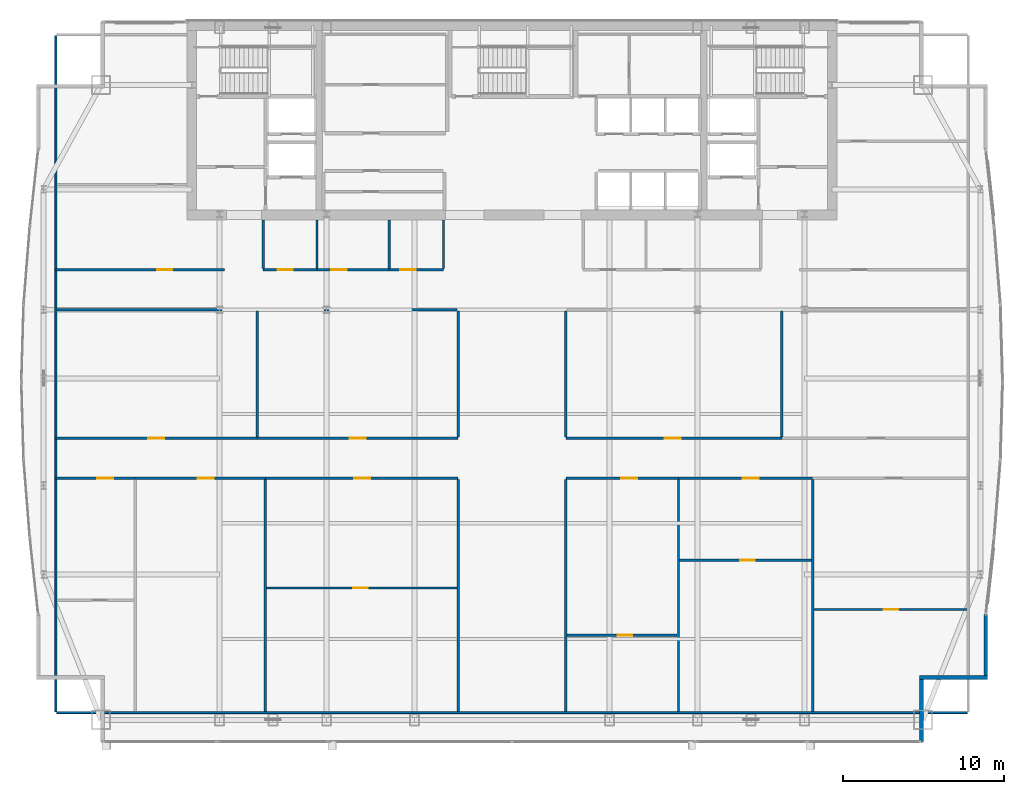
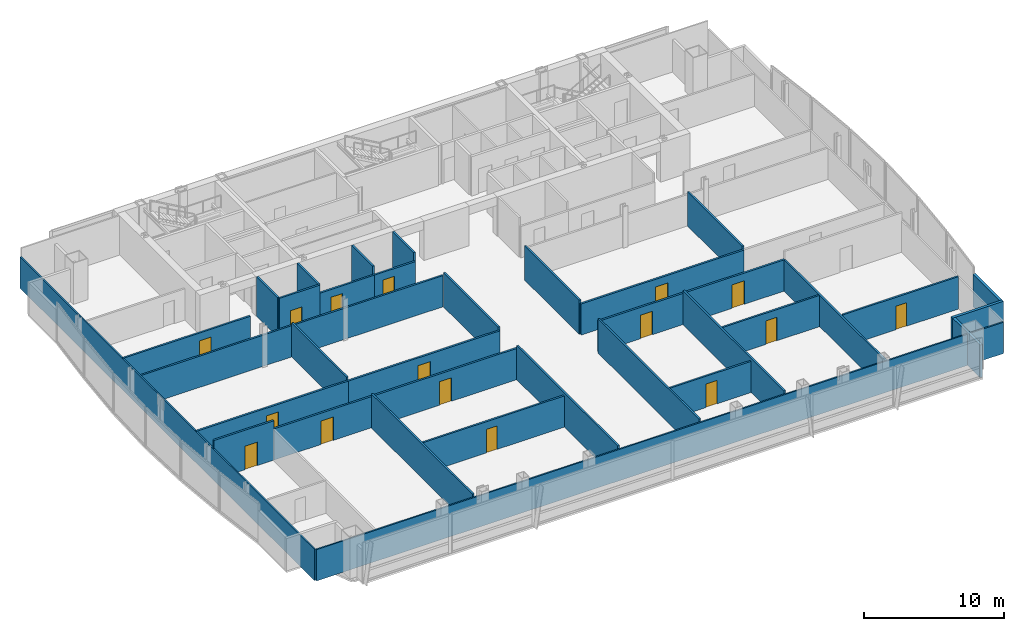
# One storey, part 27 of 32: 35 walls, 16 doors, 16 openings.
"""IFC4 building model written with IfcOpenShell, lengths in metres."""

from ifc_helpers import new_model, si_unit, direction, frame, frame_2d, origin, place, context, subcontext, project, spatial, rectangle, extrude, material, layer, layer_set, type_object, element, fill, save


model = new_model("IFC4")

# Units and contexts
model_context = context("Model", 3, precision=1e-05, world=origin(), true_north=direction((0.0, 1.0)))
body_context = subcontext(model_context, "Body", "Model", "MODEL_VIEW")
ifc_project = project(units=[si_unit("LENGTHUNIT", "METRE"), si_unit("AREAUNIT", "SQUARE_METRE"), si_unit("VOLUMEUNIT", "CUBIC_METRE"), si_unit("PLANEANGLEUNIT", "RADIAN"), si_unit("MASSUNIT", "GRAM", prefix="KILO")], contexts=[model_context])

# Site, building, storey
site_placement = place(None, origin())
site = spatial("IfcSite", under=ifc_project, at=site_placement, CompositionType="ELEMENT")
building_placement = place(site_placement, origin())
building = spatial("IfcBuilding", under=site, at=building_placement, Name="Khoronbel Lancet Exchange", CompositionType="ELEMENT")
storey_placement = place(building_placement, frame((0.0, 0.0, 195.800048828125)))
storey = spatial("IfcBuildingStorey", under=building, at=storey_placement, Name="L49", CompositionType="ELEMENT", Elevation=195.800048828125)

# Walls
ifc_material_1 = material(Name="Precast concrete C40/50", Category="concrete")
ifc_layer_1 = layer(ifc_material_1, 0.25, Name="Precast concrete C40/50")
ifc_layer_set_1 = layer_set([ifc_layer_1], Name="Precast concrete C40/50")
wall_type_1 = type_object("IfcWallType", Name="WL-EXT250", PredefinedType="SOLIDWALL", material=ifc_layer_set_1)
wall_1_placement = place(storey_placement, frame((65.9599609375, 16.724853515625, 0.0), z_axis=(0.0, 0.0, 1.0), x_axis=(0.0, -1.0, 0.0)))
element("IfcWall", 1, at=wall_1_placement, inside=storey, type_object=wall_type_1, Name="Level L49 notched-corner limestone pier 23", PredefinedType="SOLIDWALL", context=body_context, shape_type="SweptSolid", body=[
    extrude(rectangle(XDim=3.824951171875, YDim=0.219970703125, at=frame_2d((1.91259765625, 0.0))), origin(), (0.0, 0.0, 1.0), 2.829833984375),
])
wall_2_placement = place(storey_placement, frame((66.070068359375, 12.7900390625, 0.0), z_axis=(0.0, 0.0, 1.0), x_axis=(-1.0, 0.0, 0.0)))
element("IfcWall", 2, at=wall_2_placement, inside=storey, type_object=wall_type_1, Name="Level L49 notched-corner limestone pier 24", PredefinedType="SOLIDWALL", context=body_context, shape_type="SweptSolid", body=[
    extrude(rectangle(XDim=4.219970703125, YDim=0.219970703125, at=frame_2d((2.10986328125, 0.0))), origin(), (0.0, 0.0, 1.0), 2.829833984375),
])
wall_3_placement = place(storey_placement, frame((61.9599609375, 12.679931640625, 0.0), z_axis=(0.0, 0.0, 1.0), x_axis=(0.0, -1.0, 0.0)))
element("IfcWall", 3, at=wall_3_placement, inside=storey, type_object=wall_type_1, Name="Level L49 notched-corner limestone pier 25", PredefinedType="SOLIDWALL", context=body_context, shape_type="SweptSolid", body=[
    extrude(rectangle(XDim=3.909912109375, YDim=0.219970703125, at=frame_2d((1.955078125, 0.0))), origin(), (0.0, 0.0, 1.0), 2.829833984375),
])
ifc_material_2 = material(Name="Acoustic Metal-Stud & Mineral-Wool Gypsum Partition 120 mm", Category="gypsum")
ifc_layer_2 = layer(ifc_material_2, 0.1201171875, Name="Acoustic Metal-Stud & Mineral-Wool Gypsum Partition 120 mm")
ifc_layer_set_2 = layer_set([ifc_layer_2], Name="Acoustic Metal-Stud & Mineral-Wool Gypsum Partition 120 mm")
wall_type_2 = type_object("IfcWallType", Name="WL-PRT120", PredefinedType="PARTITIONING", material=ifc_layer_set_2)
for number, where, z_axis, x_axis, name in (
    (4, (20.949951171875, 38.280029296875, 0.0), (0.0, 0.0, 1.0), (0.0, 1.0, 0.0), "Level L49 interior partition PW-WC-0"),
    (5, (24.300048828125, 38.280029296875, 0.0), (0.0, 0.0, 1.0), (0.0, 1.0, 0.0), "Level L49 interior partition PW-WC-1"),
    (6, (28.800048828125, 38.280029296875, 0.0), (0.0, 0.0, 1.0), (0.0, 1.0, 0.0), "Level L49 interior partition PW-WC-2"),
    (7, (32.179931640625, 38.280029296875, 0.0), (0.0, 0.0, 1.0), (0.0, 1.0, 0.0), "Level L49 interior partition PW-WC-3"),
):
    element("IfcWall", number, at=place(storey_placement, frame(where, z_axis=z_axis, x_axis=x_axis)), inside=storey, type_object=wall_type_2, Name=name, PredefinedType="PARTITIONING", context=body_context, shape_type="SweptSolid", body=[
        extrude(rectangle(XDim=3.02001953125, YDim=0.14990234375, at=frame_2d((1.510009765625, 0.0))), origin(), (0.0, 0.0, 1.0), 3.43994140625),
    ])

# Wall, opening, door
wall_4_placement = place(storey_placement, frame((21.16845703125, 18.365966796875, 0.0), z_axis=(0.0, 0.0, 1.0), x_axis=(1.0, 0.0, 0.0)))
wall_4 = element("IfcWall", 8, at=wall_4_placement, inside=storey, type_object=wall_type_2, Name="Level L49 interior partition PW-Z3SW-H3", PredefinedType="PARTITIONING", context=body_context, shape_type="SweptSolid", body=[
    extrude(rectangle(XDim=11.8515625, YDim=0.14990234375, at=frame_2d((5.92578125, 0.0))), origin(), (0.0, 0.0, 1.0), 2.72998046875),
])
opening_1_placement = place(wall_4_placement, frame((5.4052734375, 0.0, 0.0)))
opening_1 = element("IfcOpeningElement", 9, at=opening_1_placement, cuts=wall_4, Name="Opening D5", PredefinedType="OPENING", context=body_context, shape_type="SweptSolid", body=[
    extrude(rectangle(XDim=0.89990234375, YDim=2.050048828125, at=frame_2d((0.449951171875, 1.02490234375))), frame((0.0, 0.0849609375, 0.0), z_axis=(0.0, -1.0, 0.0), x_axis=(1.0, 0.0, 0.0)), (0.0, 0.0, 1.0), 0.169921875),
])
ifc_material_3 = material(Name="Acoustic Timber Pantry & Support Door", Category="wood")
door_type_1 = type_object("IfcDoorType", Name="DR-D5", OperationType="NOTDEFINED", PredefinedType="DOOR", material=ifc_material_3)
door_1_placement = place(opening_1_placement, origin())
door_1 = element("IfcDoor", 10, at=door_1_placement, inside=storey, type_object=door_type_1, Name="Z3SW inner door 3 L49-1", OperationType="SINGLE_SWING_RIGHT", OverallHeight=2.050048828125, OverallWidth=0.89990234375, PredefinedType="DOOR", context=body_context, shape_type="SweptSolid", body=[
    extrude(rectangle(XDim=0.89990234375, YDim=2.050048828125, at=frame_2d((0.449951171875, 1.02490234375))), frame((0.0, 0.02490234375, 0.0), z_axis=(0.0, -1.0, 0.0), x_axis=(1.0, 0.0, 0.0)), (0.0, 0.0, 1.0), 0.050048828125),
])
fill(opening_1, door_1)

wall_5_placement = place(storey_placement, frame((39.8798828125, 15.41796875, 0.0), z_axis=(0.0, 0.0, 1.0), x_axis=(1.0, 0.0, 0.0)))
wall_5 = element("IfcWall", 11, at=wall_5_placement, inside=storey, type_object=wall_type_2, Name="Level L49 interior partition PW-Z3SE-H1", PredefinedType="PARTITIONING", context=body_context, shape_type="SweptSolid", body=[
    extrude(rectangle(XDim=6.859619140625, YDim=0.14990234375, at=frame_2d((3.4296875, 0.0))), origin(), (0.0, 0.0, 1.0), 2.72998046875),
])
opening_2_placement = place(wall_5_placement, frame((3.15869140625, 0.0, 0.0)))
opening_2 = element("IfcOpeningElement", 12, at=opening_2_placement, cuts=wall_5, Name="Opening D5", PredefinedType="OPENING", context=body_context, shape_type="SweptSolid", body=[
    extrude(rectangle(XDim=0.89990234375, YDim=2.050048828125, at=frame_2d((0.449951171875, 1.02490234375))), frame((0.0, 0.0849609375, 0.0), z_axis=(0.0, -1.0, 0.0), x_axis=(1.0, 0.0, 0.0)), (0.0, 0.0, 1.0), 0.169921875),
])
door_2_placement = place(opening_2_placement, origin())
door_2 = element("IfcDoor", 13, at=door_2_placement, inside=storey, type_object=door_type_1, Name="Z3SE inner door 1 L49-1", OperationType="SINGLE_SWING_RIGHT", OverallHeight=2.050048828125, OverallWidth=0.89990234375, PredefinedType="DOOR", context=body_context, shape_type="SweptSolid", body=[
    extrude(rectangle(XDim=0.89990234375, YDim=2.050048828125, at=frame_2d((0.449951171875, 1.02490234375))), frame((0.0, 0.02490234375, 0.0), z_axis=(0.0, -1.0, 0.0), x_axis=(1.0, 0.0, 0.0)), (0.0, 0.0, 1.0), 0.050048828125),
])
fill(opening_2, door_2)

wall_6_placement = place(storey_placement, frame((46.899658203125, 20.090087890625, 0.0), z_axis=(0.0, 0.0, 1.0), x_axis=(1.0, 0.0, 0.0)))
wall_6 = element("IfcWall", 14, at=wall_6_placement, inside=storey, type_object=wall_type_2, Name="Level L49 interior partition PW-Z3SE-H2", PredefinedType="PARTITIONING", context=body_context, shape_type="SweptSolid", body=[
    extrude(rectangle(XDim=8.196533203125, YDim=0.14990234375, at=frame_2d((4.09814453125, 0.0))), origin(), (0.0, 0.0, 1.0), 2.72998046875),
])
opening_3_placement = place(wall_6_placement, frame((3.760498046875, 0.0, 0.0)))
opening_3 = element("IfcOpeningElement", 15, at=opening_3_placement, cuts=wall_6, Name="Opening D5", PredefinedType="OPENING", context=body_context, shape_type="SweptSolid", body=[
    extrude(rectangle(XDim=0.89990234375, YDim=2.050048828125, at=frame_2d((0.449951171875, 1.02490234375))), frame((0.0, 0.0849609375, 0.0), z_axis=(0.0, -1.0, 0.0), x_axis=(1.0, 0.0, 0.0)), (0.0, 0.0, 1.0), 0.169921875),
])
door_3_placement = place(opening_3_placement, origin())
door_3 = element("IfcDoor", 16, at=door_3_placement, inside=storey, type_object=door_type_1, Name="Z3SE inner door 2 L49-1", OperationType="SINGLE_SWING_RIGHT", OverallHeight=2.050048828125, OverallWidth=0.89990234375, PredefinedType="DOOR", context=body_context, shape_type="SweptSolid", body=[
    extrude(rectangle(XDim=0.89990234375, YDim=2.050048828125, at=frame_2d((0.449951171875, 1.02490234375))), frame((0.0, 0.02490234375, 0.0), z_axis=(0.0, -1.0, 0.0), x_axis=(1.0, 0.0, 0.0)), (0.0, 0.0, 1.0), 0.050048828125),
])
fill(opening_3, door_3)

wall_7_placement = place(storey_placement, frame((55.25634765625, 17.02392578125, 0.0), z_axis=(0.0, 0.0, 1.0), x_axis=(1.0, 0.0, 0.0)))
wall_7 = element("IfcWall", 17, at=wall_7_placement, inside=storey, type_object=wall_type_2, Name="Level L49 interior partition PW-Z3SE-H3", PredefinedType="PARTITIONING", context=body_context, shape_type="SweptSolid", body=[
    extrude(rectangle(XDim=9.548583984375, YDim=0.14990234375, at=frame_2d((4.7744140625, 0.0))), origin(), (0.0, 0.0, 1.0), 2.829833984375),
])
opening_4_placement = place(wall_7_placement, frame((4.3623046875, 0.0, 0.0)))
opening_4 = element("IfcOpeningElement", 18, at=opening_4_placement, cuts=wall_7, Name="Opening D5", PredefinedType="OPENING", context=body_context, shape_type="SweptSolid", body=[
    extrude(rectangle(XDim=0.89990234375, YDim=2.050048828125, at=frame_2d((0.449951171875, 1.02490234375))), frame((0.0, 0.0849609375, 0.0), z_axis=(0.0, -1.0, 0.0), x_axis=(1.0, 0.0, 0.0)), (0.0, 0.0, 1.0), 0.169921875),
])
door_4_placement = place(opening_4_placement, origin())
door_4 = element("IfcDoor", 19, at=door_4_placement, inside=storey, type_object=door_type_1, Name="Z3SE inner door 3 L49-1", OperationType="SINGLE_SWING_RIGHT", OverallHeight=2.050048828125, OverallWidth=0.89990234375, PredefinedType="DOOR", context=body_context, shape_type="SweptSolid", body=[
    extrude(rectangle(XDim=0.89990234375, YDim=2.050048828125, at=frame_2d((0.449951171875, 1.02490234375))), frame((0.0, 0.02490234375, 0.0), z_axis=(0.0, -1.0, 0.0), x_axis=(1.0, 0.0, 0.0)), (0.0, 0.0, 1.0), 0.050048828125),
])
fill(opening_4, door_4)

# Walls
wall_8_placement = place(storey_placement, frame((8.030029296875, 10.6650390625, 0.0), z_axis=(0.0, 0.0, 1.0), x_axis=(0.0, 1.0, 0.0)))
element("IfcWall", 20, at=wall_8_placement, inside=storey, type_object=wall_type_2, Name="Level L49 interior partition PW-LIN-W", PredefinedType="PARTITIONING", context=body_context, shape_type="SweptSolid", body=[
    extrude(rectangle(XDim=42.10986328125, YDim=0.1201171875, at=frame_2d((21.054931640625, 0.0))), origin(), (0.0, 0.0, 1.0), 2.72998046875),
])
wall_9_placement = place(storey_placement, frame((8.094970703125, 10.60009765625, 0.0), z_axis=(0.0, 0.0, 1.0), x_axis=(1.0, 0.0, 0.0)))
element("IfcWall", 21, at=wall_9_placement, inside=storey, type_object=wall_type_2, Name="Level L49 interior partition PW-LIN-S", PredefinedType="PARTITIONING", context=body_context, shape_type="SweptSolid", body=[
    extrude(rectangle(XDim=56.7099609375, YDim=0.1201171875, at=frame_2d((28.35498046875, 0.0))), origin(), (0.0, 0.0, 1.0), 2.72998046875),
])

# Wall, opening, door
ifc_material_4 = material(Name="Fire-Rated Twin-Stud Acoustic Gypsum Partition 150 mm", Category="gypsum")
ifc_layer_3 = layer(ifc_material_4, 0.14990234375, Name="Fire-Rated Twin-Stud Acoustic Gypsum Partition 150 mm")
ifc_layer_set_3 = layer_set([ifc_layer_3], Name="Fire-Rated Twin-Stud Acoustic Gypsum Partition 150 mm")
wall_type_3 = type_object("IfcWallType", Name="WL-PRT150C", PredefinedType="PARTITIONING", material=ifc_layer_set_3)
wall_10_placement = place(storey_placement, frame((20.949951171875, 38.199951171875, 0.0), z_axis=(0.0, 0.0, 1.0), x_axis=(1.0, 0.0, 0.0)))
wall_10 = element("IfcWall", 22, at=wall_10_placement, inside=storey, type_object=wall_type_3, Name="Level L49 interior partition PW-WC-S1", PredefinedType="PARTITIONING", context=body_context, shape_type="SweptSolid", body=[
    extrude(rectangle(XDim=3.35009765625, YDim=0.14990234375, at=frame_2d((1.675048828125, 0.0))), origin(), (0.0, 0.0, 1.0), 3.43994140625),
])
opening_5_placement = place(wall_10_placement, frame((0.89990234375, 0.0, 0.0)))
opening_5 = element("IfcOpeningElement", 23, at=opening_5_placement, cuts=wall_10, Name="Opening D4", PredefinedType="OPENING", context=body_context, shape_type="SweptSolid", body=[
    extrude(rectangle(XDim=0.949951171875, YDim=2.050048828125, at=frame_2d((0.47509765625, 1.02490234375))), frame((0.0, 0.0849609375, 0.0), z_axis=(0.0, -1.0, 0.0), x_axis=(1.0, 0.0, 0.0)), (0.0, 0.0, 1.0), 0.169921875),
])
ifc_material_5 = material(Name="Moisture-Resistant HPL Washroom Door", Category="wood")
door_type_2 = type_object("IfcDoorType", Name="DR-D4", OperationType="NOTDEFINED", PredefinedType="DOOR", material=ifc_material_5)
door_5_placement = place(opening_5_placement, origin())
door_5 = element("IfcDoor", 24, at=door_5_placement, inside=storey, type_object=door_type_2, Name="Male washroom door L49-1", OperationType="SINGLE_SWING_LEFT", OverallHeight=2.050048828125, OverallWidth=0.949951171875, PredefinedType="DOOR", context=body_context, shape_type="SweptSolid", body=[
    extrude(rectangle(XDim=0.949951171875, YDim=2.050048828125, at=frame_2d((0.47509765625, 1.02490234375))), frame((0.0, 0.02490234375, 0.0), z_axis=(0.0, -1.0, 0.0), x_axis=(1.0, 0.0, 0.0)), (0.0, 0.0, 1.0), 0.050048828125),
])
fill(opening_5, door_5)

wall_11_placement = place(storey_placement, frame((24.300048828125, 38.199951171875, 0.0), z_axis=(0.0, 0.0, 1.0), x_axis=(1.0, 0.0, 0.0)))
wall_11 = element("IfcWall", 25, at=wall_11_placement, inside=storey, type_object=wall_type_3, Name="Level L49 interior partition PW-WC-S2", PredefinedType="PARTITIONING", context=body_context, shape_type="SweptSolid", body=[
    extrude(rectangle(XDim=4.5, YDim=0.14990234375, at=frame_2d((2.25, 0.0))), origin(), (0.0, 0.0, 1.0), 2.72998046875),
])
opening_6_placement = place(wall_11_placement, frame((0.89990234375, 0.0, 0.0)))
opening_6 = element("IfcOpeningElement", 26, at=opening_6_placement, cuts=wall_11, Name="Opening D4", PredefinedType="OPENING", context=body_context, shape_type="SweptSolid", body=[
    extrude(rectangle(XDim=0.949951171875, YDim=2.050048828125, at=frame_2d((0.47509765625, 1.02490234375))), frame((0.0, 0.0849609375, 0.0), z_axis=(0.0, -1.0, 0.0), x_axis=(1.0, 0.0, 0.0)), (0.0, 0.0, 1.0), 0.169921875),
])
door_6_placement = place(opening_6_placement, origin())
door_6 = element("IfcDoor", 27, at=door_6_placement, inside=storey, type_object=door_type_2, Name="Female washroom door L49-1", OperationType="SINGLE_SWING_RIGHT", OverallHeight=2.050048828125, OverallWidth=0.949951171875, PredefinedType="DOOR", context=body_context, shape_type="SweptSolid", body=[
    extrude(rectangle(XDim=0.949951171875, YDim=2.050048828125, at=frame_2d((0.47509765625, 1.02490234375))), frame((0.0, 0.02490234375, 0.0), z_axis=(0.0, -1.0, 0.0), x_axis=(1.0, 0.0, 0.0)), (0.0, 0.0, 1.0), 0.050048828125),
])
fill(opening_6, door_6)

wall_12_placement = place(storey_placement, frame((28.800048828125, 38.199951171875, 0.0), z_axis=(0.0, 0.0, 1.0), x_axis=(1.0, 0.0, 0.0)))
wall_12 = element("IfcWall", 28, at=wall_12_placement, inside=storey, type_object=wall_type_3, Name="Level L49 interior partition PW-WC-S3", PredefinedType="PARTITIONING", context=body_context, shape_type="SweptSolid", body=[
    extrude(rectangle(XDim=3.3798828125, YDim=0.14990234375, at=frame_2d((1.68994140625, 0.0))), origin(), (0.0, 0.0, 1.0), 2.72998046875),
])
opening_7_placement = place(wall_12_placement, frame((0.699951171875, 0.0, 0.0)))
opening_7 = element("IfcOpeningElement", 29, at=opening_7_placement, cuts=wall_12, Name="Opening D4", PredefinedType="OPENING", context=body_context, shape_type="SweptSolid", body=[
    extrude(rectangle(XDim=0.949951171875, YDim=2.050048828125, at=frame_2d((0.47509765625, 1.02490234375))), frame((0.0, 0.0849609375, 0.0), z_axis=(0.0, -1.0, 0.0), x_axis=(1.0, 0.0, 0.0)), (0.0, 0.0, 1.0), 0.169921875),
])
door_7_placement = place(opening_7_placement, origin())
door_7 = element("IfcDoor", 30, at=door_7_placement, inside=storey, type_object=door_type_2, Name="Accessible WC door L49-1", OperationType="SINGLE_SWING_LEFT", OverallHeight=2.050048828125, OverallWidth=0.949951171875, PredefinedType="DOOR", context=body_context, shape_type="SweptSolid", body=[
    extrude(rectangle(XDim=0.949951171875, YDim=2.050048828125, at=frame_2d((0.47509765625, 1.02490234375))), frame((0.0, 0.02490234375, 0.0), z_axis=(0.0, -1.0, 0.0), x_axis=(1.0, 0.0, 0.0)), (0.0, 0.0, 1.0), 0.050048828125),
])
fill(opening_7, door_7)

wall_13_placement = place(storey_placement, frame((8.030029296875, 38.199951171875, 0.0), z_axis=(0.0, 0.0, 1.0), x_axis=(1.0, 0.0, 0.0)))
wall_13 = element("IfcWall", 31, at=wall_13_placement, inside=storey, type_object=wall_type_3, Name="Level L49 interior partition PW-NW-S", PredefinedType="PARTITIONING", context=body_context, shape_type="SweptSolid", body=[
    extrude(rectangle(XDim=10.52001953125, YDim=0.14990234375, at=frame_2d((5.260009765625, 0.0))), origin(), (0.0, 0.0, 1.0), 2.72998046875),
])
opening_8_placement = place(wall_13_placement, frame((6.320068359375, 0.0, 0.0)))
opening_8 = element("IfcOpeningElement", 32, at=opening_8_placement, cuts=wall_13, Name="Opening D1", PredefinedType="OPENING", context=body_context, shape_type="SweptSolid", body=[
    extrude(rectangle(XDim=0.949951171875, YDim=2.050048828125, at=frame_2d((0.47509765625, 1.02490234375))), frame((0.0, 0.0849609375, 0.0), z_axis=(0.0, -1.0, 0.0), x_axis=(1.0, 0.0, 0.0)), (0.0, 0.0, 1.0), 0.169921875),
])
ifc_material_6 = material(Name="Acoustic Veneered Timber & Bronze Frame Door", Category="wood")
door_type_3 = type_object("IfcDoorType", Name="DR-D1", OperationType="NOTDEFINED", PredefinedType="DOOR", material=ifc_material_6)
door_8_placement = place(opening_8_placement, origin())
door_8 = element("IfcDoor", 33, at=door_8_placement, inside=storey, type_object=door_type_3, Name="NW corner room door L49-1", OperationType="SINGLE_SWING_RIGHT", OverallHeight=2.050048828125, OverallWidth=0.949951171875, PredefinedType="DOOR", context=body_context, shape_type="SweptSolid", body=[
    extrude(rectangle(XDim=0.949951171875, YDim=2.050048828125, at=frame_2d((0.47509765625, 1.02490234375))), frame((0.0, 0.02490234375, 0.0), z_axis=(0.0, -1.0, 0.0), x_axis=(1.0, 0.0, 0.0)), (0.0, 0.0, 1.0), 0.050048828125),
])
fill(opening_8, door_8)

# Walls
for number, where, z_axis, x_axis, name in (
    (34, (33.10009765625, 10.6650390625, 0.0), (0.0, 0.0, 1.0), (0.0, 1.0, 0.0), "Level L49 interior partition PW-Z3-CW1"),
    (35, (39.800048828125, 10.6650390625, 0.0), (0.0, 0.0, 1.0), (0.0, 1.0, 0.0), "Level L49 interior partition PW-Z3-CE1"),
):
    element("IfcWall", number, at=place(storey_placement, frame(where, z_axis=z_axis, x_axis=x_axis)), inside=storey, type_object=wall_type_3, Name=name, PredefinedType="PARTITIONING", context=body_context, shape_type="SweptSolid", body=[
        extrude(rectangle(XDim=14.449951171875, YDim=0.14990234375, at=frame_2d((7.22509765625, 0.0))), origin(), (0.0, 0.0, 1.0), 2.97998046875),
    ])
for number, where, z_axis, x_axis, name in (
    (36, (33.10009765625, 27.784912109375, 0.0), (0.0, 0.0, 1.0), (0.0, 1.0, 0.0), "Level L49 interior partition PW-Z3-CW2"),
    (37, (39.800048828125, 27.784912109375, 0.0), (0.0, 0.0, 1.0), (0.0, 1.0, 0.0), "Level L49 interior partition PW-Z3-CE2"),
):
    element("IfcWall", number, at=place(storey_placement, frame(where, z_axis=z_axis, x_axis=x_axis)), inside=storey, type_object=wall_type_3, Name=name, PredefinedType="PARTITIONING", context=body_context, shape_type="SweptSolid", body=[
        extrude(rectangle(XDim=7.835205078125, YDim=0.14990234375, at=frame_2d((3.91748046875, 0.0))), origin(), (0.0, 0.0, 1.0), 2.97998046875),
    ])
wall_14_placement = place(storey_placement, frame((8.094970703125, 35.699951171875, 0.0), z_axis=(0.0, 0.0, 1.0), x_axis=(1.0, 0.0, 0.0)))
element("IfcWall", 38, at=wall_14_placement, inside=storey, type_object=wall_type_3, Name="Level L49 interior partition PW-Z3-WN", PredefinedType="PARTITIONING", context=body_context, shape_type="SweptSolid", body=[
    extrude(rectangle(XDim=24.925048828125, YDim=0.14990234375, at=frame_2d((12.46240234375, 0.0))), origin(), (0.0, 0.0, 1.0), 2.72998046875),
])
for number, where, z_axis, x_axis, name in (
    (39, (21.08837890625, 10.6650390625, 0.0), (0.0, 0.0, 1.0), (0.0, 1.0, 0.0), "Level L49 interior partition PW-Z3SW-V2"),
    (40, (46.819580078125, 10.6650390625, 0.0), (0.0, 0.0, 1.0), (0.0, 1.0, 0.0), "Level L49 interior partition PW-Z3SE-V1"),
):
    element("IfcWall", number, at=place(storey_placement, frame(where, z_axis=z_axis, x_axis=x_axis)), inside=storey, type_object=wall_type_3, Name=name, PredefinedType="PARTITIONING", context=body_context, shape_type="SweptSolid", body=[
        extrude(rectangle(XDim=14.449951171875, YDim=0.14990234375, at=frame_2d((7.22509765625, 0.0))), origin(), (0.0, 0.0, 1.0), 2.97998046875),
    ])
wall_15_placement = place(storey_placement, frame((55.17626953125, 10.6650390625, 0.0), z_axis=(0.0, 0.0, 1.0), x_axis=(0.0, 1.0, 0.0)))
element("IfcWall", 41, at=wall_15_placement, inside=storey, type_object=wall_type_3, Name="Level L49 interior partition PW-Z3SE-V2", PredefinedType="PARTITIONING", context=body_context, shape_type="SweptSolid", body=[
    extrude(rectangle(XDim=14.449951171875, YDim=0.14990234375, at=frame_2d((7.22509765625, 0.0))), origin(), (0.0, 0.0, 1.0), 2.72998046875),
])
for number, where, z_axis, x_axis, name in (
    (42, (20.5771484375, 27.784912109375, 0.0), (0.0, 0.0, 1.0), (0.0, 1.0, 0.0), "Level L49 interior partition PW-Z3NW-V1"),
    (43, (53.263427734375, 27.784912109375, 0.0), (0.0, 0.0, 1.0), (0.0, 1.0, 0.0), "Level L49 interior partition PW-Z3NE-V1"),
):
    element("IfcWall", number, at=place(storey_placement, frame(where, z_axis=z_axis, x_axis=x_axis)), inside=storey, type_object=wall_type_3, Name=name, PredefinedType="PARTITIONING", context=body_context, shape_type="SweptSolid", body=[
        extrude(rectangle(XDim=7.835205078125, YDim=0.14990234375, at=frame_2d((3.91748046875, 0.0))), origin(), (0.0, 0.0, 1.0), 2.97998046875),
    ])

# Wall, opening, door
ifc_material_7 = material(Name="Fire-Rated Twin-Stud Acoustic Gypsum Partition 160 mm", Category="gypsum")
ifc_layer_4 = layer(ifc_material_7, 0.159912109375, Name="Fire-Rated Twin-Stud Acoustic Gypsum Partition 160 mm")
ifc_layer_set_4 = layer_set([ifc_layer_4], Name="Fire-Rated Twin-Stud Acoustic Gypsum Partition 160 mm")
wall_type_4 = type_object("IfcWallType", Name="WL-PRT160C", PredefinedType="PARTITIONING", material=ifc_layer_set_4)
wall_16_placement = place(storey_placement, frame((8.030029296875, 25.199951171875, 0.0), z_axis=(0.0, 0.0, 1.0), x_axis=(1.0, 0.0, 0.0)))
wall_16 = element("IfcWall", 44, at=wall_16_placement, inside=storey, type_object=wall_type_4, Name="Level L49 interior partition PW-Z3SW-COR1", PredefinedType="PARTITIONING", context=body_context, shape_type="SweptSolid", body=[
    extrude(rectangle(XDim=4.94189453125, YDim=0.159912109375, at=frame_2d((2.470947265625, 0.0))), origin(), (0.0, 0.0, 1.0), 3.43994140625),
])
opening_9_placement = place(wall_16_placement, frame((2.57568359375, 0.0, 0.0)))
opening_9 = element("IfcOpeningElement", 45, at=opening_9_placement, cuts=wall_16, Name="Opening D2", PredefinedType="OPENING", context=body_context, shape_type="SweptSolid", body=[
    extrude(rectangle(XDim=1.0, YDim=2.050048828125, at=frame_2d((0.5, 1.02490234375))), frame((0.0, 0.08984375, 0.0), z_axis=(0.0, -1.0, 0.0), x_axis=(1.0, 0.0, 0.0)), (0.0, 0.0, 1.0), 0.179931640625),
])
door_type_4 = type_object("IfcDoorType", Name="DR-D2", OperationType="NOTDEFINED", PredefinedType="DOOR", material=ifc_material_6)
door_9_placement = place(opening_9_placement, origin())
door_9 = element("IfcDoor", 46, at=door_9_placement, inside=storey, type_object=door_type_4, Name="Z3SW bay 1 door L49-1", OperationType="SINGLE_SWING_RIGHT", OverallHeight=2.050048828125, OverallWidth=1.0, PredefinedType="DOOR", context=body_context, shape_type="SweptSolid", body=[
    extrude(rectangle(XDim=1.0, YDim=2.050048828125, at=frame_2d((0.5, 1.02490234375))), frame((0.0, 0.02490234375, 0.0), z_axis=(0.0, -1.0, 0.0), x_axis=(1.0, 0.0, 0.0)), (0.0, 0.0, 1.0), 0.050048828125),
])
fill(opening_9, door_9)

wall_17_placement = place(storey_placement, frame((12.971923828125, 25.199951171875, 0.0), z_axis=(0.0, 0.0, 1.0), x_axis=(1.0, 0.0, 0.0)))
wall_17 = element("IfcWall", 47, at=wall_17_placement, inside=storey, type_object=wall_type_4, Name="Level L49 interior partition PW-Z3SW-COR2", PredefinedType="PARTITIONING", context=body_context, shape_type="SweptSolid", body=[
    extrude(rectangle(XDim=8.116455078125, YDim=0.159912109375, at=frame_2d((4.05810546875, 0.0))), origin(), (0.0, 0.0, 1.0), 2.72998046875),
])
opening_10_placement = place(wall_17_placement, frame((3.908935546875, 0.0, 0.0)))
opening_10 = element("IfcOpeningElement", 48, at=opening_10_placement, cuts=wall_17, Name="Opening D2", PredefinedType="OPENING", context=body_context, shape_type="SweptSolid", body=[
    extrude(rectangle(XDim=1.0, YDim=2.050048828125, at=frame_2d((0.5, 1.02490234375))), frame((0.0, 0.08984375, 0.0), z_axis=(0.0, -1.0, 0.0), x_axis=(1.0, 0.0, 0.0)), (0.0, 0.0, 1.0), 0.179931640625),
])
door_10_placement = place(opening_10_placement, origin())
door_10 = element("IfcDoor", 49, at=door_10_placement, inside=storey, type_object=door_type_4, Name="Z3SW bay 2 door L49-1", OperationType="SINGLE_SWING_RIGHT", OverallHeight=2.050048828125, OverallWidth=1.0, PredefinedType="DOOR", context=body_context, shape_type="SweptSolid", body=[
    extrude(rectangle(XDim=1.0, YDim=2.050048828125, at=frame_2d((0.5, 1.02490234375))), frame((0.0, 0.02490234375, 0.0), z_axis=(0.0, -1.0, 0.0), x_axis=(1.0, 0.0, 0.0)), (0.0, 0.0, 1.0), 0.050048828125),
])
fill(opening_10, door_10)

wall_18_placement = place(storey_placement, frame((21.08837890625, 25.199951171875, 0.0), z_axis=(0.0, 0.0, 1.0), x_axis=(1.0, 0.0, 0.0)))
wall_18 = element("IfcWall", 50, at=wall_18_placement, inside=storey, type_object=wall_type_4, Name="Level L49 interior partition PW-Z3SW-COR3", PredefinedType="PARTITIONING", context=body_context, shape_type="SweptSolid", body=[
    extrude(rectangle(XDim=12.01171875, YDim=0.159912109375, at=frame_2d((6.005859375, 0.0))), origin(), (0.0, 0.0, 1.0), 2.72998046875),
])
opening_11_placement = place(wall_18_placement, frame((5.544921875, 0.0, 0.0)))
opening_11 = element("IfcOpeningElement", 51, at=opening_11_placement, cuts=wall_18, Name="Opening D2", PredefinedType="OPENING", context=body_context, shape_type="SweptSolid", body=[
    extrude(rectangle(XDim=1.0, YDim=2.050048828125, at=frame_2d((0.5, 1.02490234375))), frame((0.0, 0.08984375, 0.0), z_axis=(0.0, -1.0, 0.0), x_axis=(1.0, 0.0, 0.0)), (0.0, 0.0, 1.0), 0.179931640625),
])
door_11_placement = place(opening_11_placement, origin())
door_11 = element("IfcDoor", 52, at=door_11_placement, inside=storey, type_object=door_type_4, Name="Z3SW bay 3 door L49-1", OperationType="SINGLE_SWING_LEFT", OverallHeight=2.050048828125, OverallWidth=1.0, PredefinedType="DOOR", context=body_context, shape_type="SweptSolid", body=[
    extrude(rectangle(XDim=1.0, YDim=2.050048828125, at=frame_2d((0.5, 1.02490234375))), frame((0.0, 0.02490234375, 0.0), z_axis=(0.0, -1.0, 0.0), x_axis=(1.0, 0.0, 0.0)), (0.0, 0.0, 1.0), 0.050048828125),
])
fill(opening_11, door_11)

wall_19_placement = place(storey_placement, frame((39.800048828125, 25.199951171875, 0.0), z_axis=(0.0, 0.0, 1.0), x_axis=(1.0, 0.0, 0.0)))
wall_19 = element("IfcWall", 53, at=wall_19_placement, inside=storey, type_object=wall_type_4, Name="Level L49 interior partition PW-Z3SE-COR1", PredefinedType="PARTITIONING", context=body_context, shape_type="SweptSolid", body=[
    extrude(rectangle(XDim=7.01953125, YDim=0.159912109375, at=frame_2d((3.509765625, 0.0))), origin(), (0.0, 0.0, 1.0), 2.72998046875),
])
opening_12_placement = place(wall_19_placement, frame((3.4482421875, 0.0, 0.0)))
opening_12 = element("IfcOpeningElement", 54, at=opening_12_placement, cuts=wall_19, Name="Opening D2", PredefinedType="OPENING", context=body_context, shape_type="SweptSolid", body=[
    extrude(rectangle(XDim=1.0, YDim=2.050048828125, at=frame_2d((0.5, 1.02490234375))), frame((0.0, 0.08984375, 0.0), z_axis=(0.0, -1.0, 0.0), x_axis=(1.0, 0.0, 0.0)), (0.0, 0.0, 1.0), 0.179931640625),
])
door_12_placement = place(opening_12_placement, origin())
door_12 = element("IfcDoor", 55, at=door_12_placement, inside=storey, type_object=door_type_4, Name="Z3SE bay 1 door L49-1", OperationType="SINGLE_SWING_LEFT", OverallHeight=2.050048828125, OverallWidth=1.0, PredefinedType="DOOR", context=body_context, shape_type="SweptSolid", body=[
    extrude(rectangle(XDim=1.0, YDim=2.050048828125, at=frame_2d((0.5, 1.02490234375))), frame((0.0, 0.02490234375, 0.0), z_axis=(0.0, -1.0, 0.0), x_axis=(1.0, 0.0, 0.0)), (0.0, 0.0, 1.0), 0.050048828125),
])
fill(opening_12, door_12)

wall_20_placement = place(storey_placement, frame((46.819580078125, 25.199951171875, 0.0), z_axis=(0.0, 0.0, 1.0), x_axis=(1.0, 0.0, 0.0)))
wall_20 = element("IfcWall", 56, at=wall_20_placement, inside=storey, type_object=wall_type_4, Name="Level L49 interior partition PW-Z3SE-COR2", PredefinedType="PARTITIONING", context=body_context, shape_type="SweptSolid", body=[
    extrude(rectangle(XDim=8.356689453125, YDim=0.159912109375, at=frame_2d((4.17822265625, 0.0))), origin(), (0.0, 0.0, 1.0), 2.72998046875),
])
opening_13_placement = place(wall_20_placement, frame((4.009765625, 0.0, 0.0)))
opening_13 = element("IfcOpeningElement", 57, at=opening_13_placement, cuts=wall_20, Name="Opening D2", PredefinedType="OPENING", context=body_context, shape_type="SweptSolid", body=[
    extrude(rectangle(XDim=1.0, YDim=2.050048828125, at=frame_2d((0.5, 1.02490234375))), frame((0.0, 0.08984375, 0.0), z_axis=(0.0, -1.0, 0.0), x_axis=(1.0, 0.0, 0.0)), (0.0, 0.0, 1.0), 0.179931640625),
])
door_13_placement = place(opening_13_placement, origin())
door_13 = element("IfcDoor", 58, at=door_13_placement, inside=storey, type_object=door_type_4, Name="Z3SE bay 2 door L49-1", OperationType="SINGLE_SWING_LEFT", OverallHeight=2.050048828125, OverallWidth=1.0, PredefinedType="DOOR", context=body_context, shape_type="SweptSolid", body=[
    extrude(rectangle(XDim=1.0, YDim=2.050048828125, at=frame_2d((0.5, 1.02490234375))), frame((0.0, 0.02490234375, 0.0), z_axis=(0.0, -1.0, 0.0), x_axis=(1.0, 0.0, 0.0)), (0.0, 0.0, 1.0), 0.050048828125),
])
fill(opening_13, door_13)

wall_21_placement = place(storey_placement, frame((8.030029296875, 27.699951171875, 0.0), z_axis=(0.0, 0.0, 1.0), x_axis=(1.0, 0.0, 0.0)))
wall_21 = element("IfcWall", 59, at=wall_21_placement, inside=storey, type_object=wall_type_4, Name="Level L49 interior partition PW-Z3NW-COR1", PredefinedType="PARTITIONING", context=body_context, shape_type="SweptSolid", body=[
    extrude(rectangle(XDim=12.547119140625, YDim=0.159912109375, at=frame_2d((6.2734375, 0.0))), origin(), (0.0, 0.0, 1.0), 2.72998046875),
])
opening_14_placement = place(wall_21_placement, frame((5.769775390625, 0.0, 0.0)))
opening_14 = element("IfcOpeningElement", 60, at=opening_14_placement, cuts=wall_21, Name="Opening D2", PredefinedType="OPENING", context=body_context, shape_type="SweptSolid", body=[
    extrude(rectangle(XDim=1.0, YDim=2.050048828125, at=frame_2d((0.5, 1.02490234375))), frame((0.0, 0.08984375, 0.0), z_axis=(0.0, -1.0, 0.0), x_axis=(1.0, 0.0, 0.0)), (0.0, 0.0, 1.0), 0.179931640625),
])
door_14_placement = place(opening_14_placement, origin())
door_14 = element("IfcDoor", 61, at=door_14_placement, inside=storey, type_object=door_type_4, Name="Z3NW bay 1 door L49-1", OperationType="SINGLE_SWING_LEFT", OverallHeight=2.050048828125, OverallWidth=1.0, PredefinedType="DOOR", context=body_context, shape_type="SweptSolid", body=[
    extrude(rectangle(XDim=1.0, YDim=2.050048828125, at=frame_2d((0.5, 1.02490234375))), frame((0.0, 0.02490234375, 0.0), z_axis=(0.0, -1.0, 0.0), x_axis=(1.0, 0.0, 0.0)), (0.0, 0.0, 1.0), 0.050048828125),
])
fill(opening_14, door_14)

wall_22_placement = place(storey_placement, frame((20.5771484375, 27.699951171875, 0.0), z_axis=(0.0, 0.0, 1.0), x_axis=(1.0, 0.0, 0.0)))
wall_22 = element("IfcWall", 62, at=wall_22_placement, inside=storey, type_object=wall_type_4, Name="Level L49 interior partition PW-Z3NW-COR2", PredefinedType="PARTITIONING", context=body_context, shape_type="SweptSolid", body=[
    extrude(rectangle(XDim=12.52294921875, YDim=0.159912109375, at=frame_2d((6.261474609375, 0.0))), origin(), (0.0, 0.0, 1.0), 2.72998046875),
])
opening_15_placement = place(wall_22_placement, frame((5.759521484375, 0.0, 0.0)))
opening_15 = element("IfcOpeningElement", 63, at=opening_15_placement, cuts=wall_22, Name="Opening D2", PredefinedType="OPENING", context=body_context, shape_type="SweptSolid", body=[
    extrude(rectangle(XDim=1.0, YDim=2.050048828125, at=frame_2d((0.5, 1.02490234375))), frame((0.0, 0.08984375, 0.0), z_axis=(0.0, -1.0, 0.0), x_axis=(1.0, 0.0, 0.0)), (0.0, 0.0, 1.0), 0.179931640625),
])
door_15_placement = place(opening_15_placement, origin())
door_15 = element("IfcDoor", 64, at=door_15_placement, inside=storey, type_object=door_type_4, Name="Z3NW bay 2 door L49-1", OperationType="SINGLE_SWING_RIGHT", OverallHeight=2.050048828125, OverallWidth=1.0, PredefinedType="DOOR", context=body_context, shape_type="SweptSolid", body=[
    extrude(rectangle(XDim=1.0, YDim=2.050048828125, at=frame_2d((0.5, 1.02490234375))), frame((0.0, 0.02490234375, 0.0), z_axis=(0.0, -1.0, 0.0), x_axis=(1.0, 0.0, 0.0)), (0.0, 0.0, 1.0), 0.050048828125),
])
fill(opening_15, door_15)

wall_23_placement = place(storey_placement, frame((39.800048828125, 27.699951171875, 0.0), z_axis=(0.0, 0.0, 1.0), x_axis=(1.0, 0.0, 0.0)))
wall_23 = element("IfcWall", 65, at=wall_23_placement, inside=storey, type_object=wall_type_4, Name="Level L49 interior partition PW-Z3NE-COR1", PredefinedType="PARTITIONING", context=body_context, shape_type="SweptSolid", body=[
    extrude(rectangle(XDim=13.46337890625, YDim=0.159912109375, at=frame_2d((6.731689453125, 0.0))), origin(), (0.0, 0.0, 1.0), 2.72998046875),
])
opening_16_placement = place(wall_23_placement, frame((6.15478515625, 0.0, 0.0)))
opening_16 = element("IfcOpeningElement", 66, at=opening_16_placement, cuts=wall_23, Name="Opening D2", PredefinedType="OPENING", context=body_context, shape_type="SweptSolid", body=[
    extrude(rectangle(XDim=1.0, YDim=2.050048828125, at=frame_2d((0.5, 1.02490234375))), frame((0.0, 0.08984375, 0.0), z_axis=(0.0, -1.0, 0.0), x_axis=(1.0, 0.0, 0.0)), (0.0, 0.0, 1.0), 0.179931640625),
])
door_16_placement = place(opening_16_placement, origin())
door_16 = element("IfcDoor", 67, at=door_16_placement, inside=storey, type_object=door_type_4, Name="Z3NE bay 1 door L49-1", OperationType="SINGLE_SWING_LEFT", OverallHeight=2.050048828125, OverallWidth=1.0, PredefinedType="DOOR", context=body_context, shape_type="SweptSolid", body=[
    extrude(rectangle(XDim=1.0, YDim=2.050048828125, at=frame_2d((0.5, 1.02490234375))), frame((0.0, 0.02490234375, 0.0), z_axis=(0.0, -1.0, 0.0), x_axis=(1.0, 0.0, 0.0)), (0.0, 0.0, 1.0), 0.050048828125),
])
fill(opening_16, door_16)

save(model, "model.ifc")
